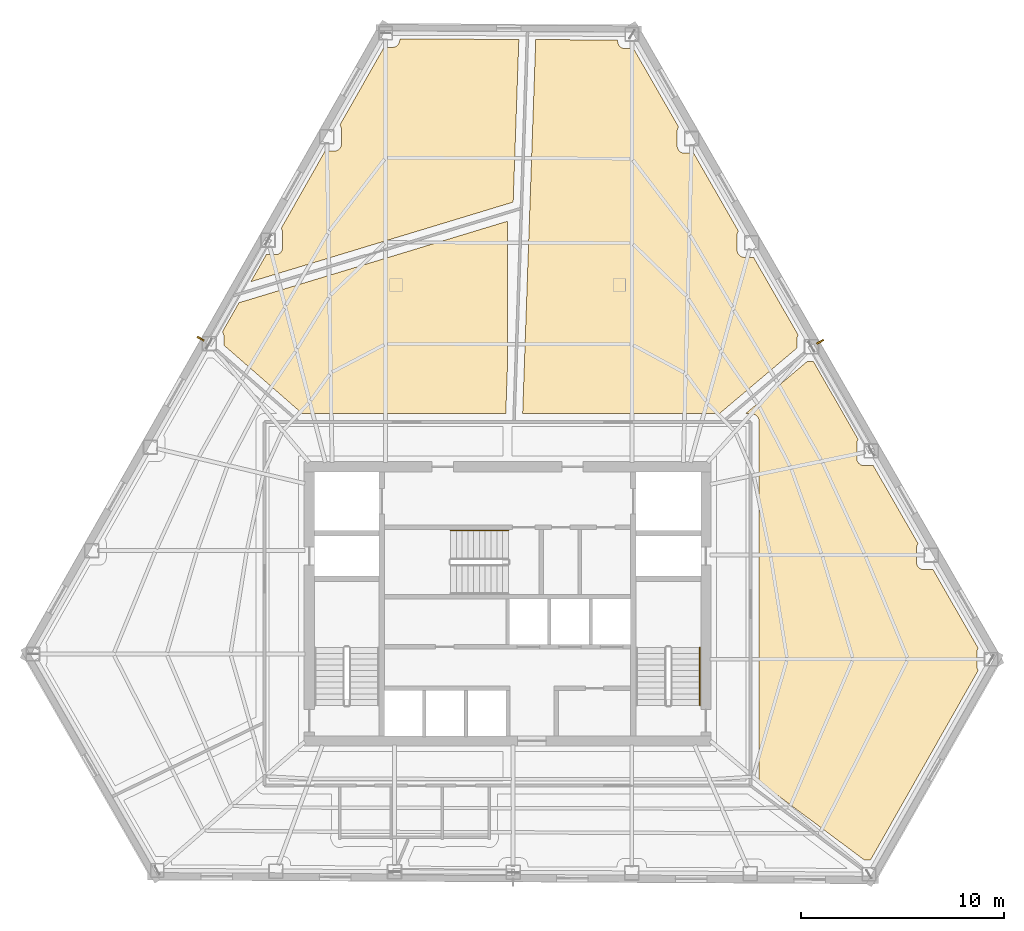
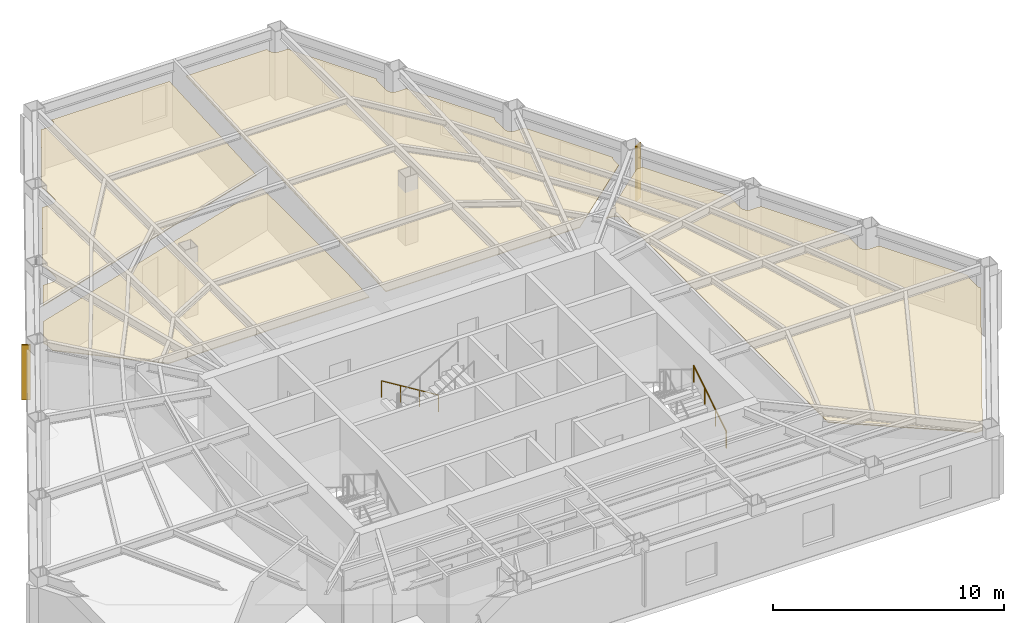
# One storey, part 12 of 12: 4 coverings, 2 railings, 2 shading devices.
"""IFC4 building model written with IfcOpenShell, lengths in metres."""

from ifc_helpers import new_model, si_unit, direction, frame, origin, origin_2d, place, context, subcontext, project, spatial, polyline, rectangle, circle, outline, extrude, material, layer, layer_set, type_object, element, save


model = new_model("IFC4")

# Units and contexts
model_context = context("Model", 3, precision=1e-05, world=origin(), true_north=direction((0.0, 1.0)))
body_context = subcontext(model_context, "Body", "Model", "MODEL_VIEW")
ifc_project = project(units=[si_unit("LENGTHUNIT", "METRE"), si_unit("AREAUNIT", "SQUARE_METRE"), si_unit("VOLUMEUNIT", "CUBIC_METRE"), si_unit("PLANEANGLEUNIT", "RADIAN"), si_unit("MASSUNIT", "GRAM", prefix="KILO")], contexts=[model_context])

# Site, building, storey
site_placement = place(None, origin())
site = spatial("IfcSite", under=ifc_project, at=site_placement, CompositionType="ELEMENT")
building_placement = place(site_placement, origin())
building = spatial("IfcBuilding", under=site, at=building_placement, Name="Kavelnor Concourse Tower", CompositionType="ELEMENT")
storey_placement = place(building_placement, frame((0.0, 0.0, 104.75)))
storey = spatial("IfcBuildingStorey", under=building, at=storey_placement, Name="L26", CompositionType="ELEMENT", Elevation=104.75)

# Coverings
ifc_material_1 = material(Name="Mineral fibre acoustic ceiling tile")
ifc_layer_1 = layer(ifc_material_1, 0.0400390625, Name="Mineral fibre acoustic ceiling tile")
ifc_layer_set_1 = layer_set([ifc_layer_1], Name="Mineral fibre acoustic ceiling tile")
covering_type = type_object("IfcCoveringType", Name="COV-CEILING-ACOUSTIC", PredefinedType="CEILING", material=ifc_layer_set_1)
covering_1_placement = place(storey_placement, frame((0.0, 0.0, 2.75)))
element("IfcCovering", 1, at=covering_1_placement, inside=storey, type_object=covering_type, Name="L26 Suspended Acoustic Ceiling", PredefinedType="CEILING", context=body_context, shape_type="SweptSolid", body=[
    extrude(outline(polyline([(46.378173828125, 39.51123046875), (46.3662109375, 39.47802734375), (46.357666015625, 39.443603515625), (46.3525390625, 39.40869140625), (46.351318359375, 39.381591796875), (46.351318359375, 38.64501953125), (46.3525390625, 38.6181640625), (46.357666015625, 38.5830078125), (46.3662109375, 38.548828125), (46.378173828125, 38.515380859375), (46.393310546875, 38.4833984375), (46.41162109375, 38.453125), (46.4326171875, 38.4248046875), (46.456298828125, 38.398681640625), (46.482666015625, 38.374755859375), (46.510986328125, 38.353759765625), (46.541259765625, 38.33544921875), (46.5732421875, 38.3203125), (46.606689453125, 38.30859375), (46.640869140625, 38.2998046875), (46.67578125, 38.294677734375), (46.702880859375, 38.29345703125), (47.162109375, 38.29345703125), (49.36767578125, 34.456787109375), (49.359375, 34.445556640625), (49.34130859375, 34.415283203125), (49.326171875, 34.38330078125), (49.314208984375, 34.349853515625), (49.3056640625, 34.315673828125), (49.30029296875, 34.280517578125), (49.299072265625, 34.253662109375), (49.299072265625, 33.51708984375), (49.30029296875, 33.489990234375), (49.3056640625, 33.455078125), (49.314208984375, 33.420654296875), (49.326171875, 33.387451171875), (49.34130859375, 33.35546875), (49.359375, 33.3251953125), (49.380615234375, 33.296630859375), (49.404296875, 33.2705078125), (49.430419921875, 33.24658203125), (49.458984375, 33.2255859375), (49.4892578125, 33.20751953125), (49.521240234375, 33.1923828125), (49.554443359375, 33.180419921875), (49.5888671875, 33.171875), (49.623779296875, 33.16650390625), (49.65087890625, 33.165283203125), (50.110107421875, 33.165283203125), (52.315673828125, 29.32861328125), (52.307373046875, 29.3173828125), (52.289306640625, 29.287109375), (52.274169921875, 29.255126953125), (52.26220703125, 29.2216796875), (52.253662109375, 29.1875), (52.248291015625, 29.152587890625), (52.2470703125, 29.12548828125), (52.2470703125, 28.69189453125), (48.440185546875, 25.472412109375), (38.742431640625, 25.472412109375), (39.385498046875, 43.885986328125), (43.42333984375, 43.865234375), (43.42333984375, 43.793212890625), (43.424560546875, 43.76611328125), (43.4296875, 43.731201171875), (43.4384765625, 43.697021484375), (43.4501953125, 43.66357421875), (43.46533203125, 43.631591796875), (43.483642578125, 43.601318359375), (43.504638671875, 43.572998046875), (43.528564453125, 43.546630859375), (43.5546875, 43.52294921875), (43.5830078125, 43.501708984375), (43.61328125, 43.483642578125), (43.6455078125, 43.468505859375), (43.6787109375, 43.45654296875), (43.712890625, 43.447998046875), (43.748046875, 43.44287109375), (43.77490234375, 43.44140625), (44.202880859375, 43.44140625), (46.419921875, 39.584716796875), (46.41162109375, 39.573486328125), (46.393310546875, 39.543212890625), (46.378173828125, 39.51123046875)])), origin(), (0.0, 0.0, 1.0), 0.0400390625),
])
covering_2_placement = place(storey_placement, frame((0.0, 0.0, 2.75)))
element("IfcCovering", 2, at=covering_2_placement, inside=storey, type_object=covering_type, Name="L26 Suspended Acoustic Ceiling", PredefinedType="CEILING", context=body_context, shape_type="SweptSolid", body=[
    extrude(outline(polyline([(37.9951171875, 27.84814453125), (37.912109375, 25.472412109375), (27.8857421875, 25.472412109375), (24.027099609375, 28.838134765625), (24.027099609375, 29.28369140625), (24.02587890625, 29.310791015625), (24.020751953125, 29.345703125), (24.01220703125, 29.3798828125), (24.000244140625, 29.413330078125), (23.985107421875, 29.4453125), (23.966796875, 29.4755859375), (23.955810546875, 29.490478515625), (24.771240234375, 30.92626953125), (37.9951171875, 34.93994140625), (37.9951171875, 27.84814453125)])), origin(), (0.0, 0.0, 1.0), 0.0400390625),
])
covering_3_placement = place(storey_placement, frame((0.0, 0.0, 2.75)))
element("IfcCovering", 3, at=covering_3_placement, inside=storey, type_object=covering_type, Name="L26 Suspended Acoustic Ceiling", PredefinedType="CEILING", context=body_context, shape_type="SweptSolid", body=[
    extrude(outline(polyline([(26.570068359375, 33.291748046875), (26.596923828125, 33.29296875), (26.632080078125, 33.298095703125), (26.666259765625, 33.306884765625), (26.69970703125, 33.318603515625), (26.731689453125, 33.333740234375), (26.761962890625, 33.35205078125), (26.790283203125, 33.373046875), (26.81640625, 33.39697265625), (26.84033203125, 33.423095703125), (26.861328125, 33.451416015625), (26.879638671875, 33.481689453125), (26.894775390625, 33.513916015625), (26.906494140625, 33.547119140625), (26.915283203125, 33.581298828125), (26.92041015625, 33.616455078125), (26.921630859375, 33.643310546875), (26.921630859375, 34.3798828125), (26.92041015625, 34.406982421875), (26.915283203125, 34.44189453125), (26.906494140625, 34.476318359375), (26.894775390625, 34.509521484375), (26.879638671875, 34.54150390625), (26.861328125, 34.572021484375), (26.850341796875, 34.5869140625), (29.00927734375, 38.38818359375), (29.464599609375, 38.38818359375), (29.49169921875, 38.389404296875), (29.526611328125, 38.39453125), (29.560791015625, 38.4033203125), (29.59423828125, 38.4150390625), (29.626220703125, 38.43017578125), (29.656494140625, 38.448486328125), (29.684814453125, 38.469482421875), (29.711181640625, 38.493408203125), (29.73486328125, 38.51953125), (29.756103515625, 38.5478515625), (29.774169921875, 38.578125), (29.789306640625, 38.610107421875), (29.80126953125, 38.6435546875), (29.809814453125, 38.677734375), (29.81494140625, 38.712890625), (29.81640625, 38.73974609375), (29.81640625, 39.476318359375), (29.81494140625, 39.50341796875), (29.809814453125, 39.538330078125), (29.80126953125, 39.57275390625), (29.789306640625, 39.60595703125), (29.774169921875, 39.637939453125), (29.756103515625, 39.668212890625), (29.744873046875, 39.683349609375), (31.915283203125, 43.50439453125), (32.339111328125, 43.50439453125), (32.3662109375, 43.505615234375), (32.401123046875, 43.510986328125), (32.435302734375, 43.51953125), (32.46875, 43.531494140625), (32.500732421875, 43.54638671875), (32.531005859375, 43.564697265625), (32.559326171875, 43.585693359375), (32.585693359375, 43.609619140625), (32.609375, 43.6357421875), (32.630615234375, 43.664306640625), (32.648681640625, 43.694580078125), (32.663818359375, 43.7265625), (32.67578125, 43.759765625), (32.684326171875, 43.794189453125), (32.689453125, 43.8291015625), (32.69091796875, 43.856201171875), (32.69091796875, 43.9208984375), (38.55517578125, 43.890380859375), (38.275634765625, 35.882080078125), (25.359375, 31.961669921875), (26.11474609375, 33.291748046875), (26.570068359375, 33.291748046875)])), origin(), (0.0, 0.0, 1.0), 0.0400390625),
])
covering_4_placement = place(storey_placement, frame((0.0, 0.0, 2.75)))
element("IfcCovering", 4, at=covering_4_placement, inside=storey, type_object=covering_type, Name="L26 Suspended Acoustic Ceiling", PredefinedType="CEILING", context=body_context, shape_type="SweptSolid", body=[
    extrude(outline(polyline([(50.392578125, 25.058349609375), (50.390869140625, 25.091552734375), (50.384765625, 25.132568359375), (50.374755859375, 25.1728515625), (50.360595703125, 25.2119140625), (50.343017578125, 25.24951171875), (50.321533203125, 25.284912109375), (50.296875, 25.318359375), (50.26904296875, 25.34912109375), (50.23828125, 25.376953125), (50.205078125, 25.401611328125), (50.16943359375, 25.423095703125), (50.1318359375, 25.440673828125), (50.0927734375, 25.45458984375), (50.052490234375, 25.46484375), (50.011474609375, 25.470947265625), (49.978271484375, 25.472412109375), (49.7255859375, 25.472412109375), (52.75830078125, 28.037109375), (53.05810546875, 28.037109375), (55.263671875, 24.2001953125), (55.25537109375, 24.189208984375), (55.237060546875, 24.158935546875), (55.221923828125, 24.126953125), (55.210205078125, 24.093505859375), (55.201416015625, 24.059326171875), (55.1962890625, 24.0244140625), (55.195068359375, 23.997314453125), (55.195068359375, 23.2607421875), (55.1962890625, 23.233642578125), (55.201416015625, 23.19873046875), (55.210205078125, 23.164306640625), (55.221923828125, 23.131103515625), (55.237060546875, 23.09912109375), (55.25537109375, 23.06884765625), (55.2763671875, 23.040283203125), (55.30029296875, 23.01416015625), (55.326416015625, 22.990478515625), (55.354736328125, 22.96923828125), (55.385009765625, 22.951171875), (55.4169921875, 22.93603515625), (55.450439453125, 22.924072265625), (55.484619140625, 22.91552734375), (55.519775390625, 22.910400390625), (55.546630859375, 22.908935546875), (56.005859375, 22.908935546875), (58.21142578125, 19.072265625), (58.203125, 19.06103515625), (58.18505859375, 19.03076171875), (58.169921875, 18.998779296875), (58.157958984375, 18.965576171875), (58.1494140625, 18.93115234375), (58.144287109375, 18.896240234375), (58.142822265625, 18.869140625), (58.142822265625, 18.132568359375), (58.144287109375, 18.105712890625), (58.1494140625, 18.070556640625), (58.157958984375, 18.036376953125), (58.169921875, 18.0029296875), (58.18505859375, 17.970947265625), (58.203125, 17.940673828125), (58.224365234375, 17.912353515625), (58.248046875, 17.885986328125), (58.2744140625, 17.8623046875), (58.302734375, 17.84130859375), (58.3330078125, 17.822998046875), (58.364990234375, 17.807861328125), (58.398193359375, 17.7958984375), (58.4326171875, 17.787353515625), (58.467529296875, 17.7822265625), (58.49462890625, 17.781005859375), (58.953857421875, 17.781005859375), (61.174560546875, 13.917724609375), (61.171142578125, 13.9130859375), (61.15283203125, 13.8828125), (61.1376953125, 13.8505859375), (61.1259765625, 13.8173828125), (61.1171875, 13.783203125), (61.112060546875, 13.748046875), (61.11083984375, 13.72119140625), (61.11083984375, 13.0244140625), (61.112060546875, 12.99755859375), (61.1171875, 12.96240234375), (61.1259765625, 12.92822265625), (61.1376953125, 12.89501953125), (61.15283203125, 12.86279296875), (61.171142578125, 12.83251953125), (61.17724609375, 12.82421875), (55.872802734375, 3.48486328125), (55.570068359375, 3.48486328125), (50.392578125, 7.34716796875), (50.392578125, 25.058349609375)])), origin(), (0.0, 0.0, 1.0), 0.0400390625),
])

# Railings
ifc_material_2 = material(Name="Steel Grade 350", Category="steel")
railing_type = type_object("IfcRailingType", Name="RLG-HANDRAIL-900", PredefinedType="HANDRAIL", material=ifc_material_2)
railing_1_placement = place(storey_placement, frame((47.469970703125, 11.10009765625, 0.175048828125)))
element("IfcRailing", 5, at=railing_1_placement, inside=storey, type_object=railing_type, Name="L26 ST2 stair handrail 1", PredefinedType="HANDRAIL", context=body_context, shape_type="SweptSolid", body=[
    extrude(circle(Radius=0.02392578125, at=origin_2d()), frame((0.0, 0.0, 0.8759765625), z_axis=(0.0, 0.852159232446, 0.523282564737), x_axis=(-1.0, 0.0, 0.0)), (0.0, 0.0, 1.0), 3.34423828125),
    extrude(circle(Radius=0.02099609375, at=origin_2d()), origin(), (0.0, 0.0, 1.0), 0.851806640625),
    extrude(circle(Radius=0.02099609375, at=origin_2d()), frame((0.0, 0.949951171875, 0.583251953125)), (0.0, 0.0, 1.0), 0.851806640625),
    extrude(circle(Radius=0.02099609375, at=origin_2d()), frame((0.0, 1.89990234375, 1.166748046875)), (0.0, 0.0, 1.0), 0.851806640625),
    extrude(circle(Radius=0.02099609375, at=origin_2d()), frame((0.0, 2.849853515625, 1.75)), (0.0, 0.0, 1.0), 0.851806640625),
])
railing_2_placement = place(storey_placement, frame((38.0400390625, 19.7099609375, 0.175048828125)))
element("IfcRailing", 6, at=railing_2_placement, inside=storey, type_object=railing_type, Name="L26 ST3 stair handrail 1", PredefinedType="HANDRAIL", context=body_context, shape_type="SweptSolid", body=[
    extrude(circle(Radius=0.02392578125, at=origin_2d()), frame((0.0, 0.0, 0.8759765625), z_axis=(-0.852179220489, 0.0, 0.52325001306), x_axis=(0.0, -1.0, 0.0)), (0.0, 0.0, 1.0), 3.344482421875),
    extrude(circle(Radius=0.02099609375, at=origin_2d()), origin(), (0.0, 0.0, 1.0), 0.851806640625),
    extrude(circle(Radius=0.02099609375, at=origin_2d()), frame((-0.949951171875, 0.0, 0.583251953125)), (0.0, 0.0, 1.0), 0.851806640625),
    extrude(circle(Radius=0.02099609375, at=origin_2d()), frame((-1.900146484375, 0.0, 1.166748046875)), (0.0, 0.0, 1.0), 0.851806640625),
    extrude(circle(Radius=0.02099609375, at=origin_2d()), frame((-2.85009765625, 0.0, 1.75)), (0.0, 0.0, 1.0), 0.851806640625),
])

# Shading devices
ifc_material_3 = material(Name="Architectural bronze-anodised aluminium", Category="aluminium")
ifc_layer_2 = layer(ifc_material_3, 0.06005859375, Name="Architectural bronze-anodised aluminium")
ifc_layer_set_2 = layer_set([ifc_layer_2], Name="Architectural bronze-anodised aluminium")
shading_device_type = type_object("IfcShadingDeviceType", Name="SHD-SOLAR-FIN", PredefinedType="JALOUSIE", material=ifc_layer_set_2)
for number, where, z_axis, x_axis, name in (
    (7, (22.881103515625, 29.157470703125, 0.400146484375), (0.0, 0.0, 1.0), (-0.869494929505, 0.493941866584, 0.0), "L26 Bronze Pier Solar Fin F0"),
    (8, (53.391845703125, 29.00146484375, 0.400146484375), (0.0, 0.0, 1.0), (0.866983738255, 0.498336430137, 0.0), "L26 Bronze Pier Solar Fin F2"),
):
    element("IfcShadingDevice", number, at=place(storey_placement, frame(where, z_axis=z_axis, x_axis=x_axis)), inside=storey, type_object=shading_device_type, Name=name, PredefinedType="JALOUSIE", context=body_context, shape_type="SweptSolid", body=[
        extrude(rectangle(XDim=0.3798828125, YDim=0.080078125, at=origin_2d()), origin(), (0.0, 0.0, 1.0), 2.89990234375),
    ])

save(model, "model.ifc")
